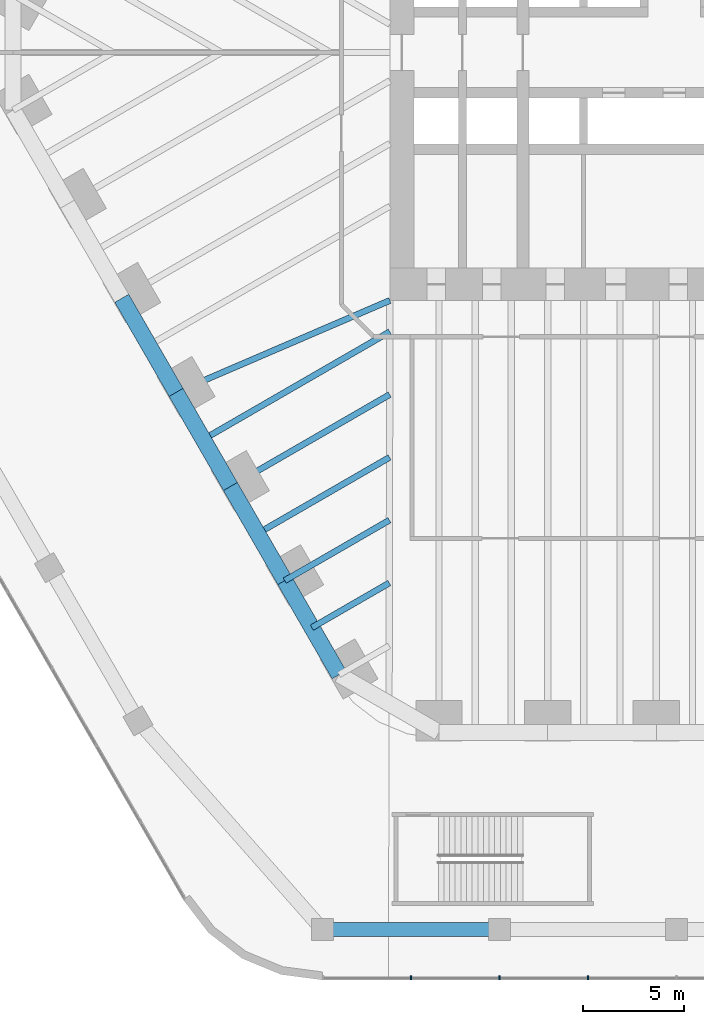
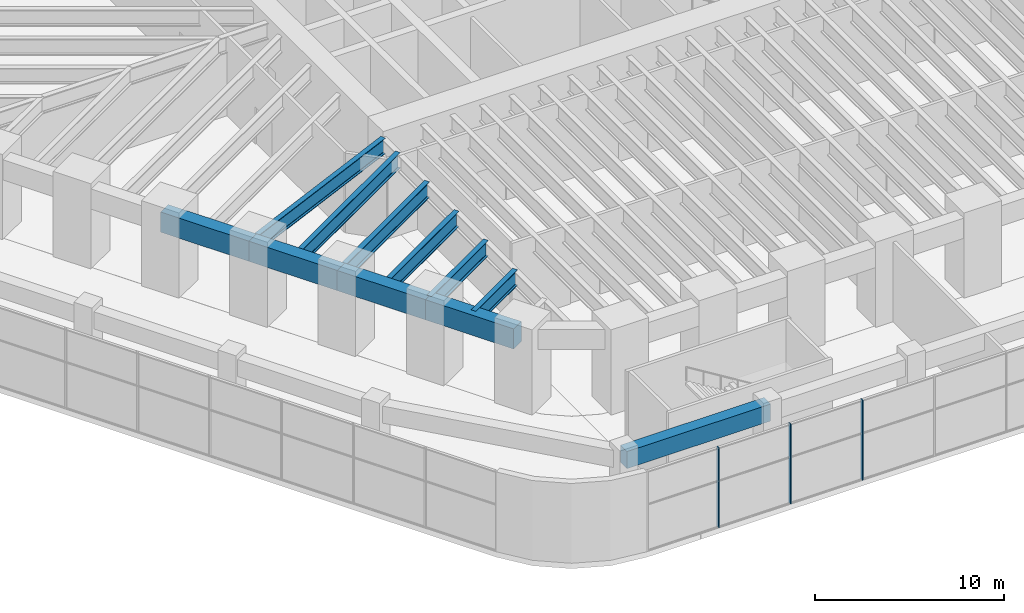
# One storey, part 4 of 31: 11 beams, 3 members, 1 element without a shape of its own.
"""IFC4 building model written with IfcOpenShell, lengths in metres."""

from ifc_helpers import new_model, si_unit, direction, frame, origin, origin_2d, place, context, subcontext, project, spatial, rectangle, i_section, extrude, material, material_profile, profile_set, type_object, element, aggregate, save


model = new_model("IFC4")

# Units and contexts
model_context = context("Model", 3, precision=1e-05, world=origin(), true_north=direction((0.0, 1.0)))
body_context = subcontext(model_context, "Body", "Model", "MODEL_VIEW")
ifc_project = project(units=[si_unit("LENGTHUNIT", "METRE"), si_unit("AREAUNIT", "SQUARE_METRE"), si_unit("VOLUMEUNIT", "CUBIC_METRE"), si_unit("PLANEANGLEUNIT", "RADIAN"), si_unit("MASSUNIT", "GRAM", prefix="KILO")], contexts=[model_context])

# Site, building, storey
site_placement = place(None, origin())
site = spatial("IfcSite", under=ifc_project, at=site_placement, CompositionType="ELEMENT")
building_placement = place(site_placement, origin())
building = spatial("IfcBuilding", under=site, at=building_placement, Name="Tarfa Lantern Tower", CompositionType="ELEMENT")
storey_placement = place(building_placement, frame((0.0, 0.0, 13.0)))
storey = spatial("IfcBuildingStorey", under=building, at=storey_placement, Name="L02", CompositionType="ELEMENT", Elevation=13.0)

# Curtain wall, members
ifc_material_1 = material(Name="Aluminium framed curtain wall", Category="aluminium")
curtain_wall_type = type_object("IfcCurtainWallType", Name="CW7 PODIUM GLAZING 5150", PredefinedType="USERDEFINED", material=ifc_material_1)
curtain_wall_placement = place(storey_placement, origin())
curtain_wall = element("IfcCurtainWall", 1, at=curtain_wall_placement, inside=storey, type_object=curtain_wall_type, Name="CW7 S L02", ObjectType="CURTAIN WALL", PredefinedType="USERDEFINED")
ifc_material_2 = material(Name="Aluminium mullion", Category="aluminium")
ifc_material_profile_1 = material_profile(ifc_material_2, rectangle(XDim=0.06494140625, YDim=0.199951171875, at=origin_2d()), Name="AL MULLION 65x200")
ifc_profile_set_1 = profile_set([ifc_material_profile_1], Name="Aluminium mullion")
member_type = type_object("IfcMemberType", Name="CWM1 MULLION 65x200", PredefinedType="MULLION", material=ifc_profile_set_1)
member_1_placement = place(storey_placement, frame((-17.551513671875, -45.89990234375, 0.0), z_axis=(0.0, 0.0, 1.0), x_axis=(1.0, 0.0, 0.0)))
member_1 = element("IfcMember", 2, at=member_1_placement, type_object=member_type, Name="CW7 mullion 2", PredefinedType="MULLION", context=body_context, shape_type="SweptSolid", body=[
    extrude(rectangle(XDim=0.06494140625, YDim=0.199951171875, at=origin_2d()), origin(), (0.0, 0.0, 1.0), 5.14990234375),
])
member_2_placement = place(storey_placement, frame((-13.16357421875, -45.89990234375, 0.0), z_axis=(0.0, 0.0, 1.0), x_axis=(1.0, 0.0, 0.0)))
member_2 = element("IfcMember", 3, at=member_2_placement, type_object=member_type, Name="CW7 mullion 3", PredefinedType="MULLION", context=body_context, shape_type="SweptSolid", body=[
    extrude(rectangle(XDim=0.06494140625, YDim=0.199951171875, at=origin_2d()), origin(), (0.0, 0.0, 1.0), 5.14990234375),
])
member_3_placement = place(storey_placement, frame((-8.775634765625, -45.89990234375, 0.0), z_axis=(0.0, 0.0, 1.0), x_axis=(1.0, 0.0, 0.0)))
member_3 = element("IfcMember", 4, at=member_3_placement, type_object=member_type, Name="CW7 mullion 4", PredefinedType="MULLION", context=body_context, shape_type="SweptSolid", body=[
    extrude(rectangle(XDim=0.06494140625, YDim=0.199951171875, at=origin_2d()), origin(), (0.0, 0.0, 1.0), 5.14990234375),
])
aggregate(curtain_wall, [member_1, member_2, member_3])

# Beams
ifc_material_3 = material(Name="Concrete C80/95", Category="concrete")
ifc_material_profile_2 = material_profile(ifc_material_3, rectangle(XDim=0.800048828125, YDim=1.300048828125, at=origin_2d()), Name="RC 800x1300")
ifc_profile_set_2 = profile_set([ifc_material_profile_2], Name="Concrete C80/95")
beam_type_1 = type_object("IfcBeamType", Name="EB1 RC 800x1300", PredefinedType="SPANDREL", material=ifc_profile_set_2)
beam_1_placement = place(storey_placement, frame((-31.896728515625, -12.193359375, 4.5), z_axis=(0.499998287579, -0.866026392449, 0.0), x_axis=(0.866026392449, 0.499998287579, 0.0)))
element("IfcBeam", 5, at=beam_1_placement, inside=storey, type_object=beam_type_1, Name="Edge beam SW2", PredefinedType="SPANDREL", context=body_context, shape_type="SweptSolid", body=[
    extrude(rectangle(XDim=0.800048828125, YDim=1.300048828125, at=origin_2d()), origin(), (0.0, 0.0, 1.0), 5.388671875),
])
beam_2_placement = place(storey_placement, frame((-29.202392578125, -16.860107421875, 4.5), z_axis=(0.500017906299, -0.866015065331, 0.0), x_axis=(0.866015065331, 0.500017906299, 0.0)))
element("IfcBeam", 6, at=beam_2_placement, inside=storey, type_object=beam_type_1, Name="Edge beam SW3", PredefinedType="SPANDREL", context=body_context, shape_type="SweptSolid", body=[
    extrude(rectangle(XDim=0.800048828125, YDim=1.300048828125, at=origin_2d()), origin(), (0.0, 0.0, 1.0), 5.388427734375),
])
for number, where, z_axis, x_axis, name in (
    (7, (-26.508056640625, -21.526611328125, 4.5), (0.499998287579, -0.866026392449, 0.0), (0.866026392449, 0.499998287579, 0.0), "Edge beam SW4"),
    (8, (-23.813720703125, -26.193359375, 4.5), (0.499998287579, -0.866026392449, 0.0), (0.866026392449, 0.499998287579, 0.0), "Edge beam SW5"),
):
    element("IfcBeam", number, at=place(storey_placement, frame(where, z_axis=z_axis, x_axis=x_axis)), inside=storey, type_object=beam_type_1, Name=name, PredefinedType="SPANDREL", context=body_context, shape_type="SweptSolid", body=[
        extrude(rectangle(XDim=0.800048828125, YDim=1.300048828125, at=origin_2d()), origin(), (0.0, 0.0, 1.0), 5.388671875),
    ])
ifc_material_profile_3 = material_profile(ifc_material_3, rectangle(XDim=0.699951171875, YDim=1.10009765625, at=origin_2d()), Name="RC 700x1100")
ifc_profile_set_3 = profile_set([ifc_material_profile_3], Name="Concrete C80/95")
beam_type_2 = type_object("IfcBeamType", Name="PB1 RC 700x1100", PredefinedType="BEAM", material=ifc_profile_set_3)
beam_3_placement = place(storey_placement, frame((-21.939208984375, -43.5, 4.60009765625), z_axis=(1.0, 0.0, 0.0), x_axis=(0.0, 1.0, 0.0)))
element("IfcBeam", 9, at=beam_3_placement, inside=storey, type_object=beam_type_2, Name="Podium ring beam S0", PredefinedType="BEAM", context=body_context, shape_type="SweptSolid", body=[
    extrude(rectangle(XDim=0.699951171875, YDim=1.10009765625, at=origin_2d()), origin(), (0.0, 0.0, 1.0), 8.775634765625),
])
ifc_material_4 = material(Name="Steel S460M", Category="steel")
ifc_material_profile_4 = material_profile(ifc_material_4, i_section(OverallWidth=0.302001953125, OverallDepth=1.008056640625, WebThickness=0.02099609375, FlangeThickness=0.0400390625, FilletRadius=0.030029296875, at=origin_2d()), Name="UB1016x305x349")
ifc_profile_set_4 = profile_set([ifc_material_profile_4], Name="Steel S460M")
beam_type_3 = type_object("IfcBeamType", Name="UB1016x305x349", PredefinedType="BEAM", material=ifc_profile_set_4)
beam_4_placement = place(storey_placement, frame((-29.202392578125, -16.860107421875, 4.64599609375), z_axis=(0.918635483867, 0.395106122175, 0.0), x_axis=(-0.395106122175, 0.918635483867, 0.0)))
element("IfcBeam", 10, at=beam_4_placement, inside=storey, type_object=beam_type_3, Name="Floor beam SW3", PredefinedType="BEAM", context=body_context, shape_type="SweptSolid", body=[
    extrude(i_section(OverallWidth=0.302001953125, OverallDepth=1.008056640625, WebThickness=0.02099609375, FlangeThickness=0.0400390625, FilletRadius=0.030029296875, at=origin_2d()), origin(), (0.0, 0.0, 1.0), 11.541259765625),
])
beam_5_placement = place(storey_placement, frame((-26.508056640625, -21.526611328125, 4.64599609375), z_axis=(0.866035355799, 0.49998276221, 0.0), x_axis=(-0.49998276221, 0.866035355799, 0.0)))
element("IfcBeam", 11, at=beam_5_placement, inside=storey, type_object=beam_type_3, Name="Floor beam SW4", PredefinedType="BEAM", context=body_context, shape_type="SweptSolid", body=[
    extrude(i_section(OverallWidth=0.302001953125, OverallDepth=1.008056640625, WebThickness=0.02099609375, FlangeThickness=0.0400390625, FilletRadius=0.030029296875, at=origin_2d()), origin(), (0.0, 0.0, 1.0), 9.119873046875),
])
beam_6_placement = place(storey_placement, frame((-23.813720703125, -26.193359375, 4.64599609375), z_axis=(0.866015997389, 0.500016292001, 0.0), x_axis=(-0.500016292001, 0.866015997389, 0.0)))
element("IfcBeam", 12, at=beam_6_placement, inside=storey, type_object=beam_type_3, Name="Floor beam SW5", PredefinedType="BEAM", context=body_context, shape_type="SweptSolid", body=[
    extrude(i_section(OverallWidth=0.302001953125, OverallDepth=1.008056640625, WebThickness=0.02099609375, FlangeThickness=0.0400390625, FilletRadius=0.030029296875, at=origin_2d()), origin(), (0.0, 0.0, 1.0), 5.993408203125),
])
beam_7_placement = place(storey_placement, frame((-27.855224609375, -19.193359375, 4.64599609375), z_axis=(0.866028034017, 0.499995444275, 0.0), x_axis=(-0.499995444275, 0.866028034017, 0.0)))
element("IfcBeam", 13, at=beam_7_placement, inside=storey, type_object=beam_type_3, Name="Floor beam SW3M", PredefinedType="BEAM", context=body_context, shape_type="SweptSolid", body=[
    extrude(i_section(OverallWidth=0.302001953125, OverallDepth=1.008056640625, WebThickness=0.02099609375, FlangeThickness=0.0400390625, FilletRadius=0.030029296875, at=origin_2d()), origin(), (0.0, 0.0, 1.0), 10.68310546875),
])
beam_8_placement = place(storey_placement, frame((-25.160888671875, -23.860107421875, 4.64599609375), z_axis=(0.866009650502, 0.500027284493, 0.0), x_axis=(-0.500027284493, 0.866009650502, 0.0)))
element("IfcBeam", 14, at=beam_8_placement, inside=storey, type_object=beam_type_3, Name="Floor beam SW4M", PredefinedType="BEAM", context=body_context, shape_type="SweptSolid", body=[
    extrude(i_section(OverallWidth=0.302001953125, OverallDepth=1.008056640625, WebThickness=0.02099609375, FlangeThickness=0.0400390625, FilletRadius=0.030029296875, at=origin_2d()), origin(), (0.0, 0.0, 1.0), 7.556640625),
])
beam_9_placement = place(storey_placement, frame((-22.466552734375, -28.526611328125, 4.64599609375), z_axis=(0.866026823135, 0.499997541604, 0.0), x_axis=(-0.499997541604, 0.866026823135, 0.0)))
element("IfcBeam", 15, at=beam_9_placement, inside=storey, type_object=beam_type_3, Name="Floor beam SW5M", PredefinedType="BEAM", context=body_context, shape_type="SweptSolid", body=[
    extrude(i_section(OverallWidth=0.302001953125, OverallDepth=1.008056640625, WebThickness=0.02099609375, FlangeThickness=0.0400390625, FilletRadius=0.030029296875, at=origin_2d()), origin(), (0.0, 0.0, 1.0), 4.43017578125),
])

save(model, "model.ifc")
